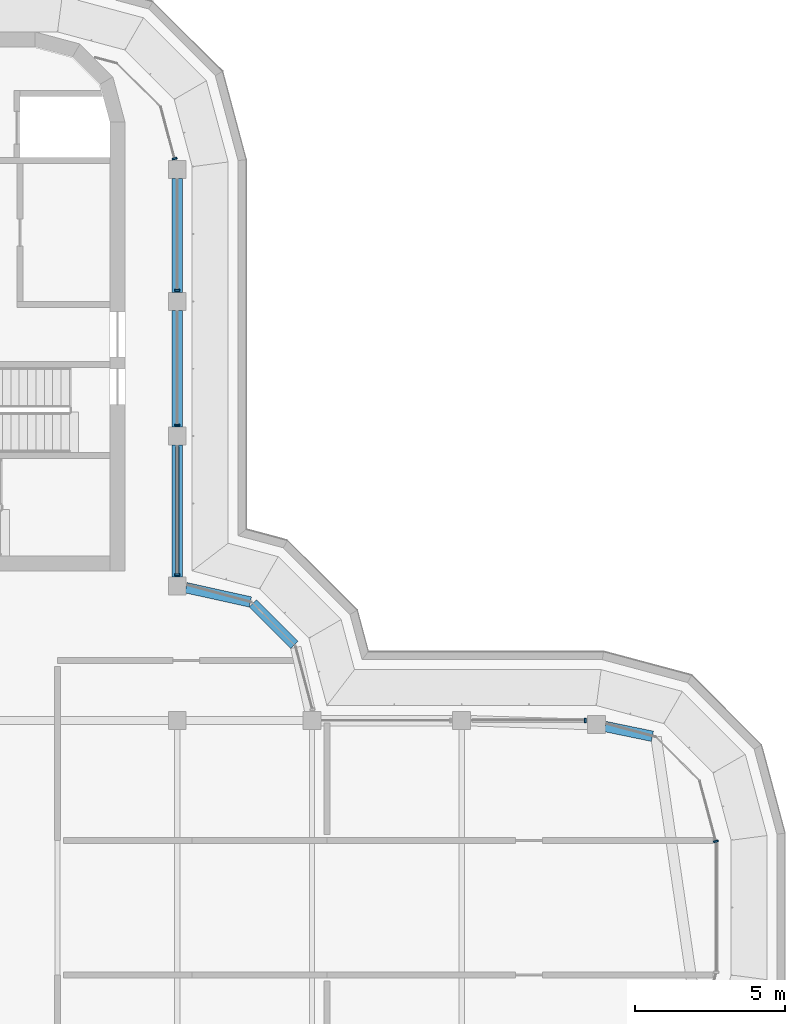
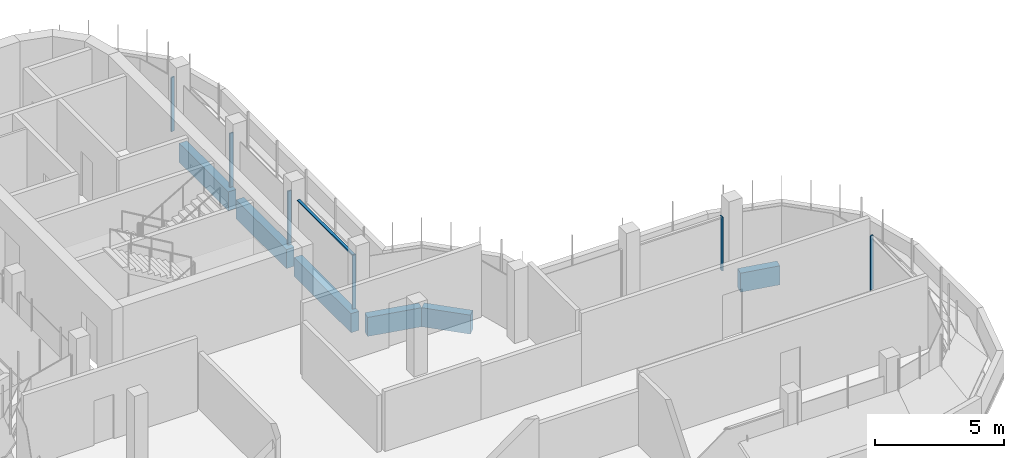
# One storey, part 8 of 19: 7 members, 6 beams, 4 elements without a shape of their own.
"""IFC4 building model written with IfcOpenShell, lengths in metres."""

from ifc_helpers import new_model, si_unit, direction, frame, origin, origin_2d, place, context, subcontext, project, spatial, polyline, rectangle, outline, extrude, source, transform, mapped, material, material_profile, profile_set, type_object, element, aggregate, save


model = new_model("IFC4")

# Units and contexts
model_context = context("Model", 3, precision=1e-05, world=origin(), true_north=direction((0.0, 1.0)))
body_context = subcontext(model_context, "Body", "Model", "MODEL_VIEW")
ifc_project = project(units=[si_unit("LENGTHUNIT", "METRE"), si_unit("AREAUNIT", "SQUARE_METRE"), si_unit("VOLUMEUNIT", "CUBIC_METRE"), si_unit("PLANEANGLEUNIT", "RADIAN"), si_unit("MASSUNIT", "GRAM", prefix="KILO")], contexts=[model_context])

# Site, building, storey
site_placement = place(None, origin())
site = spatial("IfcSite", under=ifc_project, at=site_placement, CompositionType="ELEMENT")
building_placement = place(site_placement, origin())
building = spatial("IfcBuilding", under=site, at=building_placement, Name="Zarbagh Exchange Tower", CompositionType="ELEMENT")
storey_placement = place(building_placement, frame((0.0, 0.0, 295.199951171875)))
storey = spatial("IfcBuildingStorey", under=building, at=storey_placement, Name="L72", CompositionType="ELEMENT", Elevation=295.199951171875)

# Beams
ifc_material_1 = material(Name="Concrete C40/50", Category="concrete")
ifc_material_profile = material_profile(ifc_material_1, rectangle(XDim=0.35009765625, YDim=0.89990234375, at=origin_2d()), Name="RC spandrel beam 350 x 900 C40/50")
ifc_profile_set = profile_set([ifc_material_profile], Name="Concrete C40/50")
beam_type = type_object("IfcBeamType", Name="RC spandrel beam 350 x 900 C40/50", PredefinedType="SPANDREL", material=ifc_profile_set)
beam_1_placement = place(storey_placement, frame((6.25, 24.35009765625, -0.599853515625), z_axis=(0.0, -1.0, 0.0), x_axis=(1.0, 0.0, 0.0)))
element("IfcBeam", 1, at=beam_1_placement, inside=storey, type_object=beam_type, Name="RC spandrel beam", PredefinedType="SPANDREL", context=body_context, shape_type="SweptSolid", body=[
    extrude(rectangle(XDim=0.35009765625, YDim=0.89990234375, at=origin_2d()), origin(), (0.0, 0.0, 1.0), 3.800048828125),
])
beam_2_placement = place(storey_placement, frame((6.25, 19.949951171875, -0.599853515625), z_axis=(0.0, -1.0, 0.0), x_axis=(1.0, 0.0, 0.0)))
element("IfcBeam", 2, at=beam_2_placement, inside=storey, type_object=beam_type, Name="RC spandrel beam", PredefinedType="SPANDREL", context=body_context, shape_type="SweptSolid", body=[
    extrude(rectangle(XDim=0.35009765625, YDim=0.89990234375, at=origin_2d()), origin(), (0.0, 0.0, 1.0), 3.89990234375),
])
beam_3_placement = place(storey_placement, frame((6.25, 15.449951171875, -0.599853515625), z_axis=(0.0, -1.0, 0.0), x_axis=(1.0, 0.0, 0.0)))
element("IfcBeam", 3, at=beam_3_placement, inside=storey, type_object=beam_type, Name="RC spandrel beam", PredefinedType="SPANDREL", context=body_context, shape_type="SweptSolid", body=[
    extrude(rectangle(XDim=0.35009765625, YDim=0.89990234375, at=origin_2d()), origin(), (0.0, 0.0, 1.0), 4.39990234375),
])
beam_4_placement = place(storey_placement, frame((6.54296875, 10.685302734375, -0.599853515625), z_axis=(0.976387662047, -0.216025770228, 0.0), x_axis=(0.216025770228, 0.976387662047, 0.0)))
element("IfcBeam", 4, at=beam_4_placement, inside=storey, type_object=beam_type, Name="RC spandrel beam", PredefinedType="SPANDREL", context=body_context, shape_type="SweptSolid", body=[
    extrude(rectangle(XDim=0.35009765625, YDim=0.89990234375, at=origin_2d()), origin(), (0.0, 0.0, 1.0), 2.200439453125),
])
beam_5_placement = place(storey_placement, frame((8.77734375, 10.16259765625, -0.599853515625), z_axis=(0.707106781187, -0.707106781187, 0.0), x_axis=(0.707106781187, 0.707106781187, 0.0)))
element("IfcBeam", 5, at=beam_5_placement, inside=storey, type_object=beam_type, Name="RC spandrel beam", PredefinedType="SPANDREL", context=body_context, shape_type="SweptSolid", body=[
    extrude(rectangle(XDim=0.35009765625, YDim=0.89990234375, at=origin_2d()), origin(), (0.0, 0.0, 1.0), 1.958984375),
])
beam_6_placement = place(storey_placement, frame((20.543701171875, 6.04931640625, -0.599853515625), z_axis=(0.979343298962, -0.202204606224, 0.0), x_axis=(0.202204606224, 0.979343298962, 0.0)))
element("IfcBeam", 6, at=beam_6_placement, inside=storey, type_object=beam_type, Name="RC spandrel beam", PredefinedType="SPANDREL", context=body_context, shape_type="SweptSolid", body=[
    extrude(rectangle(XDim=0.35009765625, YDim=0.89990234375, at=origin_2d()), origin(), (0.0, 0.0, 1.0), 1.610595703125),
])

# Curtain wall, member
ifc_material_2 = material(Name="Anodised aluminium frame and glazing", Category="aluminium")
curtain_wall_type = type_object("IfcCurtainWallType", Name="CWF Crown tier glazing", PredefinedType="NOTDEFINED", material=ifc_material_2)
curtain_wall_1_placement = place(storey_placement, origin())
curtain_wall_1 = element("IfcCurtainWall", 7, at=curtain_wall_1_placement, inside=storey, type_object=curtain_wall_type, Name="CWF20 curtain wall", PredefinedType="NOTDEFINED")
ifc_material_3 = material(Name="Anodised aluminium frame", Category="aluminium")
member_type_1 = type_object("IfcMemberType", Name="TRF Transom, anodised aluminium frame", PredefinedType="USERDEFINED", material=ifc_material_3)
shared_shape_1 = source(origin(), body_context, "Body", "SweptSolid", [
    extrude(outline(polyline([(-0.06005859375, -0.06005859375), (0.0, -0.06005859375), (0.0, 0.06005859375), (-0.06005859375, 0.06005859375), (-0.06005859375, -0.06005859375)])), origin(), (0.0, 0.0, 1.0), 4.260009765625),
])
placement = place(storey_placement, origin())
member_1 = element("IfcMember", 8, at=placement, type_object=member_type_1, Name="CWF20 transom 1.1", ObjectType="TRANSOM", PredefinedType="USERDEFINED", context=body_context, shape_type="MappedRepresentation", body=[
    mapped(shared_shape_1, transform((6.25, 11.150146484375, 2.550048828125), x_axis=(0.0, 0.0, 1.0), y_axis=(1.0, 0.0, 0.0), z_axis=(0.0, 1.0, 0.0))),
])

curtain_wall_2_placement = place(storey_placement, origin())
curtain_wall_2 = element("IfcCurtainWall", 9, at=curtain_wall_2_placement, inside=storey, type_object=curtain_wall_type, Name="CWF13 curtain wall", PredefinedType="NOTDEFINED")
member_type_2 = type_object("IfcMemberType", Name="MUF Mullion, anodised aluminium frame", PredefinedType="MULLION", material=ifc_material_3)
shared_shape_2 = source(origin(), body_context, "Body", "SweptSolid", [
    extrude(outline(polyline([(0.0, -0.080078125), (0.06005859375, -0.080078125), (0.06005859375, 0.080078125), (0.0, 0.080078125), (0.0, -0.080078125)])), origin(), (0.0, 0.0, 1.0), 2.550048828125),
])
member_2 = element("IfcMember", 10, at=placement, type_object=member_type_2, Name="CWF13 mullion 1.1", PredefinedType="MULLION", context=body_context, shape_type="MappedRepresentation", body=[
    mapped(shared_shape_2, transform((24.25, 2.18408203125, 0.0), x_axis=(-0.258824779902, 0.965924289636, 0.0), y_axis=(-0.965924289636, -0.258824779902, 0.0), z_axis=(0.0, 0.0, 1.0))),
])
aggregate(curtain_wall_2, [member_2])

curtain_wall_3_placement = place(storey_placement, origin())
curtain_wall_3 = element("IfcCurtainWall", 11, at=curtain_wall_3_placement, inside=storey, type_object=curtain_wall_type, Name="CWF16 curtain wall", PredefinedType="NOTDEFINED")
member_3 = element("IfcMember", 12, at=placement, type_object=member_type_2, Name="CWF16 mullion 1.1", PredefinedType="MULLION", context=body_context, shape_type="MappedRepresentation", body=[
    mapped(shared_shape_2, transform((19.909912109375, 6.25, 0.0), x_axis=(-1.0, 0.0, 0.0), y_axis=(0.0, -1.0, 0.0), z_axis=(0.0, 0.0, 1.0))),
])
aggregate(curtain_wall_3, [member_3])

# Member
member_4 = element("IfcMember", 13, at=placement, type_object=member_type_2, Name="CWF20 mullion 1.1", PredefinedType="MULLION", context=body_context, shape_type="MappedRepresentation", body=[
    mapped(shared_shape_2, transform((6.25, 11.090087890625, 0.0), x_axis=(0.0, 1.0, 0.0), y_axis=(-1.0, 0.0, 0.0), z_axis=(0.0, 0.0, 1.0))),
])

member_5 = element("IfcMember", 14, at=placement, type_object=member_type_2, Name="CWF20 mullion 2.1", PredefinedType="MULLION", context=body_context, shape_type="MappedRepresentation", body=[
    mapped(shared_shape_2, transform((6.25, 16.090087890625, 0.0), x_axis=(0.0, 1.0, 0.0), y_axis=(-1.0, 0.0, 0.0), z_axis=(0.0, 0.0, 1.0))),
])

member_6 = element("IfcMember", 15, at=placement, type_object=member_type_2, Name="CWF20 mullion 3.1", PredefinedType="MULLION", context=body_context, shape_type="MappedRepresentation", body=[
    mapped(shared_shape_2, transform((6.25, 20.590087890625, 0.0), x_axis=(0.0, 1.0, 0.0), y_axis=(-1.0, 0.0, 0.0), z_axis=(0.0, 0.0, 1.0))),
])

aggregate(curtain_wall_1, [member_4, member_1, member_5, member_6])

# Curtain wall, member
curtain_wall_4_placement = place(storey_placement, origin())
curtain_wall_4 = element("IfcCurtainWall", 16, at=curtain_wall_4_placement, inside=storey, type_object=curtain_wall_type, Name="CWF21 curtain wall", PredefinedType="NOTDEFINED")
member_7 = element("IfcMember", 17, at=placement, type_object=member_type_2, Name="CWF21 mullion 1.1", PredefinedType="MULLION", context=body_context, shape_type="MappedRepresentation", body=[
    mapped(shared_shape_2, transform((6.16796875, 24.989990234375, 0.0), x_axis=(-0.258824779902, 0.965924289636, 0.0), y_axis=(-0.965924289636, -0.258824779902, 0.0), z_axis=(0.0, 0.0, 1.0))),
])
aggregate(curtain_wall_4, [member_7])

save(model, "model.ifc")
